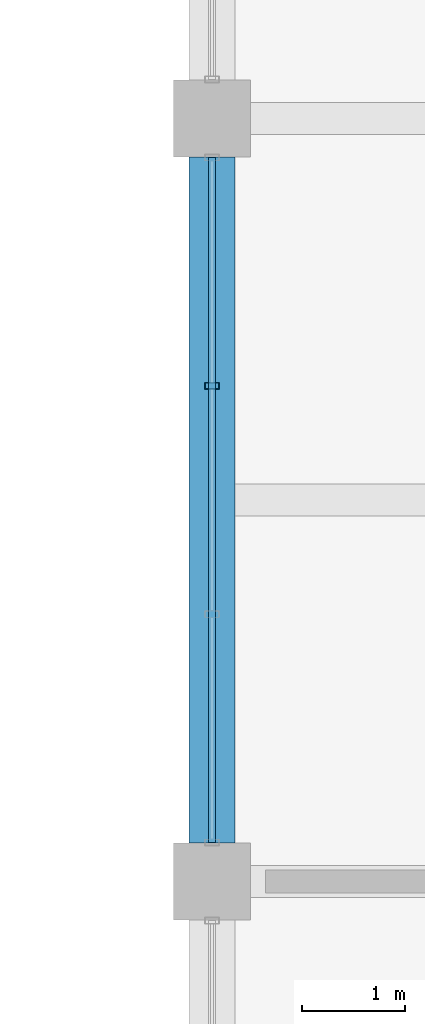
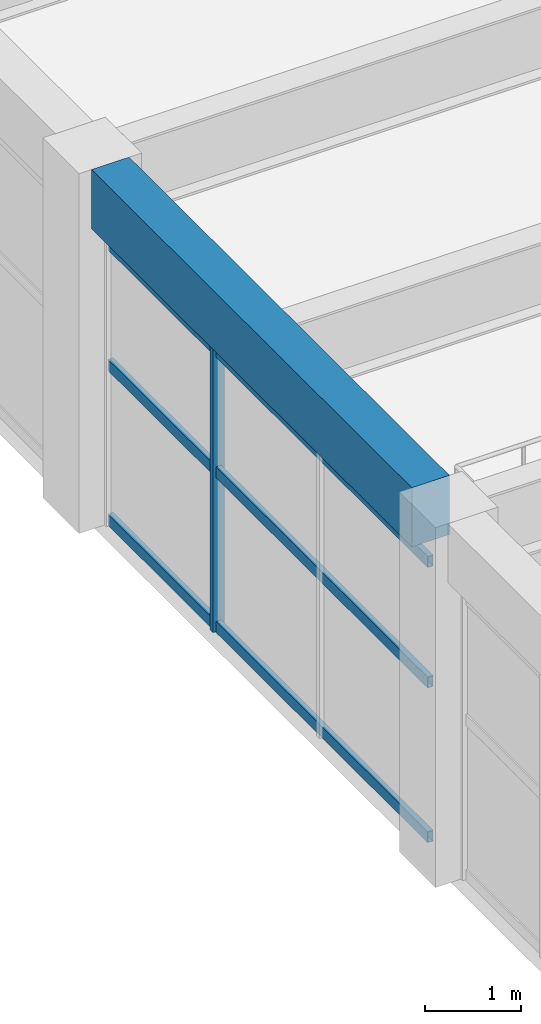
# One storey, part 85 of 161: 4 members, 1 beam, 1 element without a shape of its own.
"""IFC4 building model written with IfcOpenShell, lengths in metres."""

from ifc_helpers import new_model, si_unit, direction, frame, origin, origin_2d, place, context, subcontext, project, spatial, rectangle, hollow_rectangle, extrude, material, material_profile, profile_set, type_object, element, aggregate, save


model = new_model("IFC4")

# Units and contexts
model_context = context("Model", 3, precision=1e-05, world=origin(), true_north=direction((0.0, 1.0)))
body_context = subcontext(model_context, "Body", "Model", "MODEL_VIEW")
ifc_project = project(units=[si_unit("LENGTHUNIT", "METRE"), si_unit("AREAUNIT", "SQUARE_METRE"), si_unit("VOLUMEUNIT", "CUBIC_METRE"), si_unit("PLANEANGLEUNIT", "RADIAN"), si_unit("MASSUNIT", "GRAM", prefix="KILO")], contexts=[model_context])

# Site, building, storey
site_placement = place(None, origin())
site = spatial("IfcSite", under=ifc_project, at=site_placement, CompositionType="ELEMENT")
building_placement = place(site_placement, origin())
building = spatial("IfcBuilding", under=site, at=building_placement, Name="Cimatlan Art Gallery", CompositionType="ELEMENT")
storey_placement = place(building_placement, frame((0.0, 0.0, 5.39990234375)))
storey = spatial("IfcBuildingStorey", under=building, at=storey_placement, Name="L01", CompositionType="ELEMENT", Elevation=5.39990234375)

# Beam
ifc_material_1 = material(Name="Concrete C40/50", Category="concrete")
ifc_material_profile_1 = material_profile(ifc_material_1, rectangle(XDim=0.449951171875, YDim=0.75, at=origin_2d()), Name="RC450X750")
ifc_profile_set_1 = profile_set([ifc_material_profile_1], Name="Concrete C40/50")
beam_type = type_object("IfcBeamType", Name="BM-RC-450X750", PredefinedType="BEAM", material=ifc_profile_set_1)
beam_placement = place(storey_placement, frame((74.89990234375, 76.074951171875, 4.18505859375), z_axis=(0.0, 1.0, 0.0), x_axis=(-1.0, 0.0, 0.0)))
element("IfcBeam", 1, at=beam_placement, inside=storey, type_object=beam_type, Name="BM-Y-L01-09-10", PredefinedType="BEAM", context=body_context, shape_type="SweptSolid", body=[
    extrude(rectangle(XDim=0.449951171875, YDim=0.75, at=origin_2d()), origin(), (0.0, 0.0, 1.0), 6.650146484375),
])

# Curtain wall, members
ifc_material_2 = material(Name="Anodised bronze unitised curtain wall")
curtain_wall_type = type_object("IfcCurtainWallType", Name="CW-V-06642X03607-B3", PredefinedType="NOTDEFINED", material=ifc_material_2)
curtain_wall_placement = place(storey_placement, origin())
curtain_wall = element("IfcCurtainWall", 2, at=curtain_wall_placement, inside=storey, type_object=curtain_wall_type, Name="CW-L01-09-10-W", PredefinedType="NOTDEFINED")
ifc_material_3 = material(Name="Anodised bronze aluminium 6063-T6", Category="aluminium")
ifc_material_profile_2 = material_profile(ifc_material_3, hollow_rectangle(XDim=0.06494140625, YDim=0.139892578125, WallThickness=0.00390625, at=origin_2d()), Name="ALU65X140X4")
ifc_profile_set_2 = profile_set([ifc_material_profile_2], Name="Anodised bronze aluminium 6063-T6")
member_type_1 = type_object("IfcMemberType", Name="CW-MUL-140", PredefinedType="MULLION", material=ifc_profile_set_2)
member_1_placement = place(storey_placement, frame((74.89990234375, 80.507080078125, 0.0), z_axis=(0.0, 0.0, 1.0), x_axis=(0.0, 1.0, 0.0)))
member_1 = element("IfcMember", 3, at=member_1_placement, type_object=member_type_1, Name="CW-L01-09-10-W-M3", PredefinedType="MULLION", context=body_context, shape_type="SweptSolid", body=[
    extrude(hollow_rectangle(XDim=0.06494140625, YDim=0.139892578125, WallThickness=0.00390625, at=origin_2d()), origin(), (0.0, 0.0, 1.0), 3.607177734375),
])
ifc_material_profile_3 = material_profile(ifc_material_3, hollow_rectangle(XDim=0.06494140625, YDim=0.139892578125, WallThickness=0.00390625, at=origin_2d()), Name="ALU65X140X4")
ifc_profile_set_3 = profile_set([ifc_material_profile_3], Name="Anodised bronze aluminium 6063-T6")
member_type_2 = type_object("IfcMemberType", Name="CW-TRN-140", PredefinedType="USERDEFINED", material=ifc_profile_set_3)
member_2_placement = place(storey_placement, frame((74.89990234375, 76.0791015625, 0.06005859375), z_axis=(0.0, 1.0, 0.0), x_axis=(-1.0, 0.0, 0.0)))
member_2 = element("IfcMember", 4, at=member_2_placement, type_object=member_type_2, Name="CW-L01-09-10-W-T1", ObjectType="TRANSOM", PredefinedType="USERDEFINED", context=body_context, shape_type="SweptSolid", body=[
    extrude(hollow_rectangle(XDim=0.06494140625, YDim=0.139892578125, WallThickness=0.00390625, at=origin_2d()), origin(), (0.0, 0.0, 1.0), 6.641845703125),
])
member_3_placement = place(storey_placement, frame((74.89990234375, 76.0791015625, 2.02001953125), z_axis=(0.0, 1.0, 0.0), x_axis=(-1.0, 0.0, 0.0)))
member_3 = element("IfcMember", 5, at=member_3_placement, type_object=member_type_2, Name="CW-L01-09-10-W-T2", ObjectType="TRANSOM", PredefinedType="USERDEFINED", context=body_context, shape_type="SweptSolid", body=[
    extrude(hollow_rectangle(XDim=0.06494140625, YDim=0.139892578125, WallThickness=0.00390625, at=origin_2d()), origin(), (0.0, 0.0, 1.0), 6.641845703125),
])
member_4_placement = place(storey_placement, frame((74.89990234375, 76.0791015625, 3.547119140625), z_axis=(0.0, 1.0, 0.0), x_axis=(-1.0, 0.0, 0.0)))
member_4 = element("IfcMember", 6, at=member_4_placement, type_object=member_type_2, Name="CW-L01-09-10-W-T3", ObjectType="TRANSOM", PredefinedType="USERDEFINED", context=body_context, shape_type="SweptSolid", body=[
    extrude(hollow_rectangle(XDim=0.06494140625, YDim=0.139892578125, WallThickness=0.00390625, at=origin_2d()), origin(), (0.0, 0.0, 1.0), 6.641845703125),
])
aggregate(curtain_wall, [member_1, member_2, member_3, member_4])

save(model, "model.ifc")
